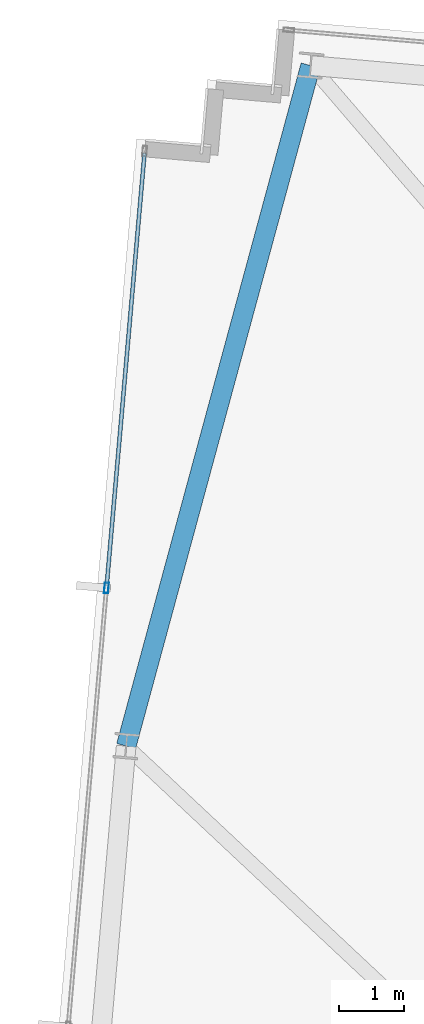
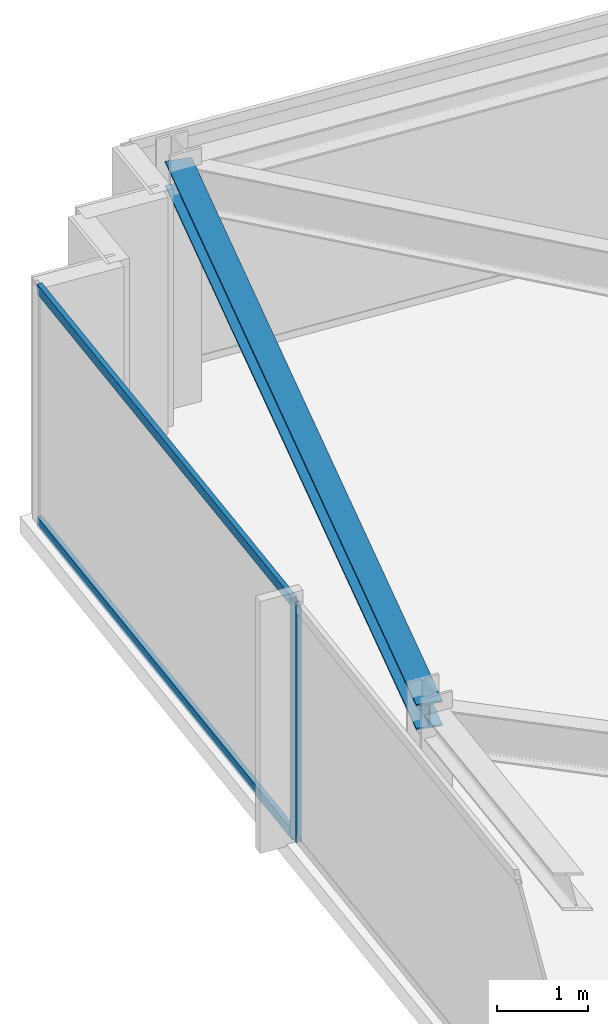
# One storey, part 11 of 32: 3 members, 1 beam, 1 element without a shape of its own.
"""IFC4 building model written with IfcOpenShell, lengths in metres."""

from ifc_helpers import new_model, si_unit, direction, frame, origin, origin_2d, place, context, subcontext, project, spatial, hollow_rectangle, i_section, extrude, material, material_profile, profile_set, type_object, element, aggregate, save


model = new_model("IFC4")

# Units and contexts
model_context = context("Model", 3, precision=1e-05, world=origin(), true_north=direction((0.0, 1.0)))
body_context = subcontext(model_context, "Body", "Model", "MODEL_VIEW")
ifc_project = project(units=[si_unit("LENGTHUNIT", "METRE"), si_unit("AREAUNIT", "SQUARE_METRE"), si_unit("VOLUMEUNIT", "CUBIC_METRE"), si_unit("PLANEANGLEUNIT", "RADIAN"), si_unit("MASSUNIT", "GRAM", prefix="KILO")], contexts=[model_context])

# Site, building, storey
site_placement = place(None, origin())
site = spatial("IfcSite", under=ifc_project, at=site_placement, CompositionType="ELEMENT")
building_placement = place(site_placement, origin())
building = spatial("IfcBuilding", under=site, at=building_placement, Name="Yelkora Congress Tower", CompositionType="ELEMENT")
storey_placement = place(building_placement, frame((0.0, 0.0, 293.10009765625)))
storey = spatial("IfcBuildingStorey", under=building, at=storey_placement, Name="L82", CompositionType="ELEMENT", Elevation=293.10009765625)

# Beam
ifc_material_1 = material(Name="Steel S355J2", Category="steel")
ifc_material_profile_1 = material_profile(ifc_material_1, i_section(OverallWidth=0.300048828125, OverallDepth=0.340087890625, WebThickness=0.011962890625, FlangeThickness=0.021484375, FilletRadius=0.027099609375, at=origin_2d()), Name="HEB 340")
ifc_profile_set_1 = profile_set([ifc_material_profile_1], Name="Steel S355J2")
beam_type = type_object("IfcBeamType", Name="BM-SPAN-HEB340", PredefinedType="SPANDREL", material=ifc_profile_set_1)
beam_placement = place(storey_placement, frame((10.60400390625, 49.884033203125, 3.010009765625), z_axis=(-0.261553643334, -0.965188940912, 0.0), x_axis=(0.965188940912, -0.261553643334, 0.0)))
element("IfcBeam", 1, at=beam_placement, inside=storey, type_object=beam_type, Name="L82 Perimeter Beam 13", PredefinedType="SPANDREL", context=body_context, shape_type="SweptSolid", body=[
    extrude(i_section(OverallWidth=0.300048828125, OverallDepth=0.340087890625, WebThickness=0.011962890625, FlangeThickness=0.021484375, FilletRadius=0.027099609375, at=origin_2d()), origin(), (0.0, 0.0, 1.0), 10.768798828125),
])

# Curtain wall, members
ifc_material_2 = material(Name="Anodised aluminium and insulated glass", Category="aluminium")
curtain_wall_type = type_object("IfcCurtainWallType", Name="CW-SYS-B5", PredefinedType="NOTDEFINED", material=ifc_material_2)
curtain_wall_placement = place(storey_placement, origin())
curtain_wall = element("IfcCurtainWall", 2, at=curtain_wall_placement, inside=storey, type_object=curtain_wall_type, Name="L82 Unitised Curtain Wall 5", PredefinedType="NOTDEFINED")
ifc_material_3 = material(Name="Anodised aluminium 6063-T6", Category="aluminium")
ifc_material_profile_2 = material_profile(ifc_material_3, hollow_rectangle(XDim=0.06494140625, YDim=0.159912109375, WallThickness=0.00390625, at=origin_2d()), Name="ALU 65x160x4")
ifc_profile_set_2 = profile_set([ifc_material_profile_2], Name="Anodised aluminium 6063-T6")
member_type_1 = type_object("IfcMemberType", Name="MEM-ML-B5", PredefinedType="MULLION", material=ifc_profile_set_2)
member_1_placement = place(storey_placement, frame((7.48681640625, 41.9052734375, 0.0), z_axis=(0.0, 0.0, 1.0), x_axis=(-0.996194785929, 0.08715473876, 0.0)))
member_1 = element("IfcMember", 3, at=member_1_placement, type_object=member_type_1, Name="CW-B5 mullion 4", PredefinedType="MULLION", context=body_context, shape_type="SweptSolid", body=[
    extrude(hollow_rectangle(XDim=0.06494140625, YDim=0.159912109375, WallThickness=0.00390625, at=origin_2d()), origin(), (0.0, 0.0, 1.0), 3.179931640625),
])
ifc_material_profile_3 = material_profile(ifc_material_3, hollow_rectangle(XDim=0.06005859375, YDim=0.1298828125, WallThickness=0.00390625, at=origin_2d()), Name="ALU 60x130x4")
ifc_profile_set_3 = profile_set([ifc_material_profile_3], Name="Anodised aluminium 6063-T6")
member_type_2 = type_object("IfcMemberType", Name="MEM-TR-B5", PredefinedType="USERDEFINED", material=ifc_profile_set_3)
member_2_placement = place(storey_placement, frame((7.489501953125, 41.937744140625, 0.02978515625), z_axis=(0.08716649365, 0.996193757451, 0.0), x_axis=(-0.996193757451, 0.08716649365, 0.0)))
member_2 = element("IfcMember", 4, at=member_2_placement, type_object=member_type_2, Name="CW-B5 transom 4.1", ObjectType="TRANSOM", PredefinedType="USERDEFINED", context=body_context, shape_type="SweptSolid", body=[
    extrude(hollow_rectangle(XDim=0.06005859375, YDim=0.1298828125, WallThickness=0.00390625, at=origin_2d()), origin(), (0.0, 0.0, 1.0), 6.63232421875),
])
member_3_placement = place(storey_placement, frame((7.489501953125, 41.937744140625, 3.14990234375), z_axis=(0.08716649365, 0.996193757451, 0.0), x_axis=(-0.996193757451, 0.08716649365, 0.0)))
member_3 = element("IfcMember", 5, at=member_3_placement, type_object=member_type_2, Name="CW-B5 transom 4.2", ObjectType="TRANSOM", PredefinedType="USERDEFINED", context=body_context, shape_type="SweptSolid", body=[
    extrude(hollow_rectangle(XDim=0.06005859375, YDim=0.1298828125, WallThickness=0.00390625, at=origin_2d()), origin(), (0.0, 0.0, 1.0), 6.63232421875),
])
aggregate(curtain_wall, [member_1, member_2, member_3])

save(model, "model.ifc")
